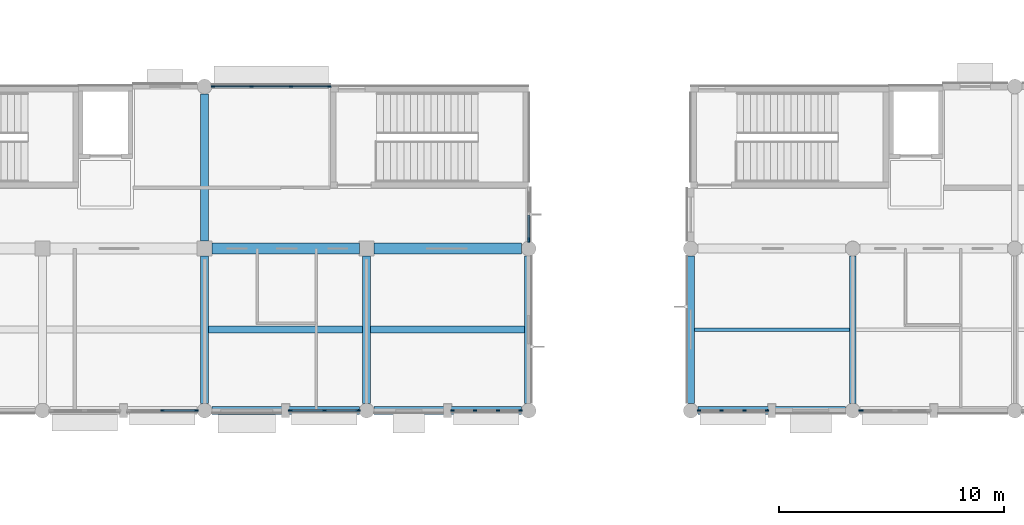
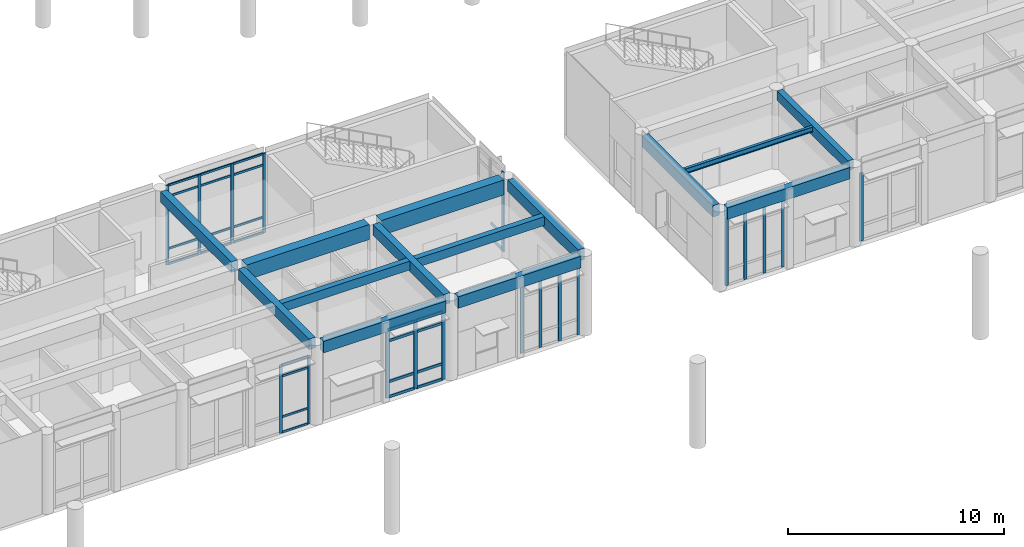
# One storey, part 12 of 92: 45 members, 14 beams, 7 elements without a shape of their own.
"""IFC4 building model written with IfcOpenShell, lengths in metres."""

from ifc_helpers import new_model, si_unit, direction, frame, origin, origin_2d, place, context, subcontext, project, spatial, rectangle, i_section, extrude, material, layer, layer_set, material_profile, profile_set, type_object, element, aggregate, save


model = new_model("IFC4")

# Units and contexts
model_context = context("Model", 3, precision=1e-05, world=origin(), true_north=direction((0.0, 1.0)))
body_context = subcontext(model_context, "Body", "Model", "MODEL_VIEW")
ifc_project = project(units=[si_unit("LENGTHUNIT", "METRE"), si_unit("AREAUNIT", "SQUARE_METRE"), si_unit("VOLUMEUNIT", "CUBIC_METRE"), si_unit("PLANEANGLEUNIT", "RADIAN"), si_unit("MASSUNIT", "GRAM", prefix="KILO")], contexts=[model_context])

# Site, building, storey
site_placement = place(None, origin())
site = spatial("IfcSite", under=ifc_project, at=site_placement, CompositionType="ELEMENT")
building_placement = place(site_placement, origin())
building = spatial("IfcBuilding", under=site, at=building_placement, Name="Namkhue Oval Health Centre", CompositionType="ELEMENT")
storey_placement = place(building_placement, frame((0.0, 0.0, 4.800048828125)))
storey = spatial("IfcBuildingStorey", under=building, at=storey_placement, Name="L01", CompositionType="ELEMENT", Elevation=4.800048828125)

# Curtain wall, members
ifc_material_1 = material(Name="Anodised aluminium EN AW-6063 T6", Category="aluminium")
ifc_layer_1 = layer(ifc_material_1, 0.159912109375)
ifc_layer_set_1 = layer_set([ifc_layer_1], Name="Anodised aluminium EN AW-6063 T6")
curtain_wall_type_1 = type_object("IfcCurtainWallType", Name="UNITISED CURTAIN WALL M1800", PredefinedType="NOTDEFINED", material=ifc_layer_set_1)
curtain_wall_1_placement = place(storey_placement, origin())
curtain_wall_1 = element("IfcCurtainWall", 1, at=curtain_wall_1_placement, inside=storey, type_object=curtain_wall_type_1, Name="Volume V4 L01 Unitised Curtain Wall 149", PredefinedType="NOTDEFINED")
ifc_material_profile_1 = material_profile(ifc_material_1, rectangle(XDim=0.06494140625, YDim=0.159912109375, at=origin_2d()), Name="ALU 65x160")
ifc_profile_set_1 = profile_set([ifc_material_profile_1], Name="Anodised aluminium EN AW-6063 T6")
member_type_1 = type_object("IfcMemberType", Name="CURTAIN WALL MULLION 65X160", PredefinedType="MULLION", material=ifc_profile_set_1)
member_1_placement = place(storey_placement, frame((70.12548828125, 14.39990234375, 0.0), z_axis=(0.0, 0.0, 1.0), x_axis=(0.0, 1.0, 0.0)))
member_1 = element("IfcMember", 2, at=member_1_placement, type_object=member_type_1, Name="CW-05 mullion 2", PredefinedType="MULLION", context=body_context, shape_type="SweptSolid", body=[
    extrude(rectangle(XDim=0.06494140625, YDim=0.159912109375, at=origin_2d()), origin(), (0.0, 0.0, 1.0), 3.85498046875),
])
member_2_placement = place(storey_placement, frame((71.632568359375, 14.39990234375, 0.0), z_axis=(0.0, 0.0, 1.0), x_axis=(0.0, 1.0, 0.0)))
member_2 = element("IfcMember", 3, at=member_2_placement, type_object=member_type_1, Name="CW-05 mullion 3", PredefinedType="MULLION", context=body_context, shape_type="SweptSolid", body=[
    extrude(rectangle(XDim=0.06494140625, YDim=0.159912109375, at=origin_2d()), origin(), (0.0, 0.0, 1.0), 3.85498046875),
])

ifc_layer_2 = layer(ifc_material_1, 0.159912109375)
ifc_layer_set_2 = layer_set([ifc_layer_2], Name="Anodised aluminium EN AW-6063 T6")
curtain_wall_type_2 = type_object("IfcCurtainWallType", Name="UNITISED CURTAIN WALL M1200", PredefinedType="NOTDEFINED", material=ifc_layer_set_2)
curtain_wall_2_placement = place(storey_placement, origin())
curtain_wall_2 = element("IfcCurtainWall", 4, at=curtain_wall_2_placement, inside=storey, type_object=curtain_wall_type_2, Name="Volume V4 L01 Unitised Curtain Wall 151", PredefinedType="NOTDEFINED")
member_3_placement = place(storey_placement, frame((83.0185546875, 14.39990234375, 0.0), z_axis=(0.0, 0.0, 1.0), x_axis=(0.0, 1.0, 0.0)))
member_3 = element("IfcMember", 5, at=member_3_placement, type_object=member_type_1, Name="CW-01 mullion 1", PredefinedType="MULLION", context=body_context, shape_type="SweptSolid", body=[
    extrude(rectangle(XDim=0.06494140625, YDim=0.159912109375, at=origin_2d()), origin(), (0.0, 0.0, 1.0), 3.85498046875),
])
member_4_placement = place(storey_placement, frame((84.012451171875, 14.39990234375, 0.0), z_axis=(0.0, 0.0, 1.0), x_axis=(0.0, 1.0, 0.0)))
member_4 = element("IfcMember", 6, at=member_4_placement, type_object=member_type_1, Name="CW-01 mullion 2", PredefinedType="MULLION", context=body_context, shape_type="SweptSolid", body=[
    extrude(rectangle(XDim=0.06494140625, YDim=0.159912109375, at=origin_2d()), origin(), (0.0, 0.0, 1.0), 3.85498046875),
])
member_5_placement = place(storey_placement, frame((85.03857421875, 14.39990234375, 0.0), z_axis=(0.0, 0.0, 1.0), x_axis=(0.0, 1.0, 0.0)))
member_5 = element("IfcMember", 7, at=member_5_placement, type_object=member_type_1, Name="CW-01 mullion 3", PredefinedType="MULLION", context=body_context, shape_type="SweptSolid", body=[
    extrude(rectangle(XDim=0.06494140625, YDim=0.159912109375, at=origin_2d()), origin(), (0.0, 0.0, 1.0), 3.85498046875),
])
member_6_placement = place(storey_placement, frame((86.032470703125, 14.39990234375, 0.0), z_axis=(0.0, 0.0, 1.0), x_axis=(0.0, 1.0, 0.0)))
member_6 = element("IfcMember", 8, at=member_6_placement, type_object=member_type_1, Name="CW-01 mullion 4", PredefinedType="MULLION", context=body_context, shape_type="SweptSolid", body=[
    extrude(rectangle(XDim=0.06494140625, YDim=0.159912109375, at=origin_2d()), origin(), (0.0, 0.0, 1.0), 3.85498046875),
])
aggregate(curtain_wall_2, [member_3, member_4, member_5, member_6])

ifc_layer_3 = layer(ifc_material_1, 0.159912109375)
ifc_layer_set_3 = layer_set([ifc_layer_3], Name="Anodised aluminium EN AW-6063 T6")
curtain_wall_type_3 = type_object("IfcCurtainWallType", Name="UNITISED CURTAIN WALL M1500", PredefinedType="NOTDEFINED", material=ifc_layer_set_3)
curtain_wall_3_placement = place(storey_placement, origin())
curtain_wall_3 = element("IfcCurtainWall", 9, at=curtain_wall_3_placement, inside=storey, type_object=curtain_wall_type_3, Name="Volume V4 L01 Unitised Curtain Wall 153", PredefinedType="NOTDEFINED")
member_7_placement = place(storey_placement, frame((77.550537109375, 28.800048828125, 0.0), z_axis=(0.0, 0.0, 1.0), x_axis=(0.0, -1.0, 0.0)))
member_7 = element("IfcMember", 10, at=member_7_placement, type_object=member_type_1, Name="CW-03 mullion 1", PredefinedType="MULLION", context=body_context, shape_type="SweptSolid", body=[
    extrude(rectangle(XDim=0.06494140625, YDim=0.159912109375, at=origin_2d()), origin(), (0.0, 0.0, 1.0), 4.5048828125),
])
member_8_placement = place(storey_placement, frame((75.833740234375, 28.800048828125, 0.0), z_axis=(0.0, 0.0, 1.0), x_axis=(0.0, -1.0, 0.0)))
member_8 = element("IfcMember", 11, at=member_8_placement, type_object=member_type_1, Name="CW-03 mullion 2", PredefinedType="MULLION", context=body_context, shape_type="SweptSolid", body=[
    extrude(rectangle(XDim=0.06494140625, YDim=0.159912109375, at=origin_2d()), origin(), (0.0, 0.0, 1.0), 4.5048828125),
])
member_9_placement = place(storey_placement, frame((74.084228515625, 28.800048828125, 0.0), z_axis=(0.0, 0.0, 1.0), x_axis=(0.0, -1.0, 0.0)))
member_9 = element("IfcMember", 12, at=member_9_placement, type_object=member_type_1, Name="CW-03 mullion 3", PredefinedType="MULLION", context=body_context, shape_type="SweptSolid", body=[
    extrude(rectangle(XDim=0.06494140625, YDim=0.159912109375, at=origin_2d()), origin(), (0.0, 0.0, 1.0), 4.5048828125),
])
member_10_placement = place(storey_placement, frame((72.367431640625, 28.800048828125, 0.0), z_axis=(0.0, 0.0, 1.0), x_axis=(0.0, -1.0, 0.0)))
member_10 = element("IfcMember", 13, at=member_10_placement, type_object=member_type_1, Name="CW-03 mullion 4", PredefinedType="MULLION", context=body_context, shape_type="SweptSolid", body=[
    extrude(rectangle(XDim=0.06494140625, YDim=0.159912109375, at=origin_2d()), origin(), (0.0, 0.0, 1.0), 4.5048828125),
])

curtain_wall_4_placement = place(storey_placement, origin())
curtain_wall_4 = element("IfcCurtainWall", 14, at=curtain_wall_4_placement, inside=storey, type_object=curtain_wall_type_2, Name="Volume V5 L01 Unitised Curtain Wall 187", PredefinedType="NOTDEFINED")
member_11_placement = place(storey_placement, frame((93.967529296875, 14.39990234375, 0.0), z_axis=(0.0, 0.0, 1.0), x_axis=(0.0, 1.0, 0.0)))
member_11 = element("IfcMember", 15, at=member_11_placement, type_object=member_type_1, Name="CW-01 mullion 1", PredefinedType="MULLION", context=body_context, shape_type="SweptSolid", body=[
    extrude(rectangle(XDim=0.06494140625, YDim=0.159912109375, at=origin_2d()), origin(), (0.0, 0.0, 1.0), 3.83984375),
])
member_12_placement = place(storey_placement, frame((94.96142578125, 14.39990234375, 0.0), z_axis=(0.0, 0.0, 1.0), x_axis=(0.0, 1.0, 0.0)))
member_12 = element("IfcMember", 16, at=member_12_placement, type_object=member_type_1, Name="CW-01 mullion 2", PredefinedType="MULLION", context=body_context, shape_type="SweptSolid", body=[
    extrude(rectangle(XDim=0.06494140625, YDim=0.159912109375, at=origin_2d()), origin(), (0.0, 0.0, 1.0), 3.83984375),
])
member_13_placement = place(storey_placement, frame((95.987548828125, 14.39990234375, 0.0), z_axis=(0.0, 0.0, 1.0), x_axis=(0.0, 1.0, 0.0)))
member_13 = element("IfcMember", 17, at=member_13_placement, type_object=member_type_1, Name="CW-01 mullion 3", PredefinedType="MULLION", context=body_context, shape_type="SweptSolid", body=[
    extrude(rectangle(XDim=0.06494140625, YDim=0.159912109375, at=origin_2d()), origin(), (0.0, 0.0, 1.0), 3.83984375),
])
member_14_placement = place(storey_placement, frame((96.9814453125, 14.39990234375, 0.0), z_axis=(0.0, 0.0, 1.0), x_axis=(0.0, 1.0, 0.0)))
member_14 = element("IfcMember", 18, at=member_14_placement, type_object=member_type_1, Name="CW-01 mullion 4", PredefinedType="MULLION", context=body_context, shape_type="SweptSolid", body=[
    extrude(rectangle(XDim=0.06494140625, YDim=0.159912109375, at=origin_2d()), origin(), (0.0, 0.0, 1.0), 3.83984375),
])
aggregate(curtain_wall_4, [member_11, member_12, member_13, member_14])

ifc_layer_4 = layer(ifc_material_1, 0.159912109375)
ifc_layer_set_4 = layer_set([ifc_layer_4], Name="Anodised aluminium EN AW-6063 T6")
curtain_wall_type_4 = type_object("IfcCurtainWallType", Name="UNITISED CURTAIN WALL M2000", PredefinedType="NOTDEFINED", material=ifc_layer_set_4)
curtain_wall_5_placement = place(storey_placement, origin())
curtain_wall_5 = element("IfcCurtainWall", 19, at=curtain_wall_5_placement, inside=storey, type_object=curtain_wall_type_4, Name="Volume V4 L01 Unitised Curtain Wall 150", PredefinedType="NOTDEFINED")
ifc_material_profile_2 = material_profile(ifc_material_1, rectangle(XDim=0.074951171875, YDim=0.199951171875, at=origin_2d()), Name="ALU 75x200")
ifc_profile_set_2 = profile_set([ifc_material_profile_2], Name="Anodised aluminium EN AW-6063 T6")
member_type_2 = type_object("IfcMemberType", Name="CURTAIN WALL MULLION 75X200", PredefinedType="MULLION", material=ifc_profile_set_2)
member_15_placement = place(storey_placement, frame((75.823486328125, 14.39990234375, 0.0), z_axis=(0.0, 0.0, 1.0), x_axis=(0.0, 1.0, 0.0)))
member_15 = element("IfcMember", 20, at=member_15_placement, type_object=member_type_2, Name="CW-06 mullion 1", PredefinedType="MULLION", context=body_context, shape_type="SweptSolid", body=[
    extrude(rectangle(XDim=0.074951171875, YDim=0.199951171875, at=origin_2d()), origin(), (0.0, 0.0, 1.0), 3.85498046875),
])
member_16_placement = place(storey_placement, frame((77.325439453125, 14.39990234375, 0.0), z_axis=(0.0, 0.0, 1.0), x_axis=(0.0, 1.0, 0.0)))
member_16 = element("IfcMember", 21, at=member_16_placement, type_object=member_type_2, Name="CW-06 mullion 2", PredefinedType="MULLION", context=body_context, shape_type="SweptSolid", body=[
    extrude(rectangle(XDim=0.074951171875, YDim=0.199951171875, at=origin_2d()), origin(), (0.0, 0.0, 1.0), 3.85498046875),
])
member_17_placement = place(storey_placement, frame((78.827392578125, 14.39990234375, 0.0), z_axis=(0.0, 0.0, 1.0), x_axis=(0.0, 1.0, 0.0)))
member_17 = element("IfcMember", 22, at=member_17_placement, type_object=member_type_2, Name="CW-06 mullion 3", PredefinedType="MULLION", context=body_context, shape_type="SweptSolid", body=[
    extrude(rectangle(XDim=0.074951171875, YDim=0.199951171875, at=origin_2d()), origin(), (0.0, 0.0, 1.0), 3.85498046875),
])

# Curtain wall, member
ifc_layer_5 = layer(ifc_material_1, 0.159912109375)
ifc_layer_set_5 = layer_set([ifc_layer_5], Name="Anodised aluminium EN AW-6063 T6")
curtain_wall_type_5 = type_object("IfcCurtainWallType", Name="UNITISED CURTAIN WALL M1350", PredefinedType="NOTDEFINED", material=ifc_layer_set_5)
curtain_wall_6_placement = place(storey_placement, origin())
curtain_wall_6 = element("IfcCurtainWall", 23, at=curtain_wall_6_placement, inside=storey, type_object=curtain_wall_type_5, Name="Volume V4 L01 Unitised Curtain Wall 152", PredefinedType="NOTDEFINED")
member_18_placement = place(storey_placement, frame((86.39990234375, 21.972412109375, 0.0), z_axis=(0.0, 0.0, 1.0), x_axis=(-1.0, 0.0, 0.0)))
member_18 = element("IfcMember", 24, at=member_18_placement, type_object=member_type_2, Name="CW-02 mullion 1", PredefinedType="MULLION", context=body_context, shape_type="SweptSolid", body=[
    extrude(rectangle(XDim=0.074951171875, YDim=0.199951171875, at=origin_2d()), origin(), (0.0, 0.0, 1.0), 4.5048828125),
])

curtain_wall_7_placement = place(storey_placement, origin())
curtain_wall_7 = element("IfcCurtainWall", 25, at=curtain_wall_7_placement, inside=storey, type_object=curtain_wall_type_5, Name="Volume V5 L01 Unitised Curtain Wall 188", PredefinedType="NOTDEFINED")
member_19_placement = place(storey_placement, frame((101.172607421875, 14.39990234375, 0.0), z_axis=(0.0, 0.0, 1.0), x_axis=(0.0, 1.0, 0.0)))
member_19 = element("IfcMember", 26, at=member_19_placement, type_object=member_type_2, Name="CW-02 mullion 1", PredefinedType="MULLION", context=body_context, shape_type="SweptSolid", body=[
    extrude(rectangle(XDim=0.074951171875, YDim=0.199951171875, at=origin_2d()), origin(), (0.0, 0.0, 1.0), 3.83984375),
])
aggregate(curtain_wall_7, [member_19])

# Member
ifc_material_profile_3 = material_profile(ifc_material_1, rectangle(XDim=0.06494140625, YDim=0.1201171875, at=origin_2d()), Name="ALU 65x120")
ifc_profile_set_3 = profile_set([ifc_material_profile_3], Name="Anodised aluminium EN AW-6063 T6")
member_type_3 = type_object("IfcMemberType", Name="CURTAIN WALL TRANSOM 65X120", PredefinedType="USERDEFINED", material=ifc_profile_set_3)
member_20_placement = place(storey_placement, frame((70.157958984375, 14.39990234375, 0.032470703125), z_axis=(1.0, 0.0, 0.0), x_axis=(0.0, 1.0, 0.0)))
member_20 = element("IfcMember", 27, at=member_20_placement, type_object=member_type_3, Name="CW-05 transom 2.1", ObjectType="TRANSOM", PredefinedType="USERDEFINED", context=body_context, shape_type="SweptSolid", body=[
    extrude(rectangle(XDim=0.06494140625, YDim=0.1201171875, at=origin_2d()), origin(), (0.0, 0.0, 1.0), 1.442138671875),
])

member_21_placement = place(storey_placement, frame((70.157958984375, 14.39990234375, 0.89990234375), z_axis=(1.0, 0.0, 0.0), x_axis=(0.0, 1.0, 0.0)))
member_21 = element("IfcMember", 28, at=member_21_placement, type_object=member_type_3, Name="CW-05 transom 2.2", ObjectType="TRANSOM", PredefinedType="USERDEFINED", context=body_context, shape_type="SweptSolid", body=[
    extrude(rectangle(XDim=0.06494140625, YDim=0.1201171875, at=origin_2d()), origin(), (0.0, 0.0, 1.0), 1.442138671875),
])

member_22_placement = place(storey_placement, frame((70.157958984375, 14.39990234375, 3.204833984375), z_axis=(1.0, 0.0, 0.0), x_axis=(0.0, 1.0, 0.0)))
member_22 = element("IfcMember", 29, at=member_22_placement, type_object=member_type_3, Name="CW-05 transom 2.3", ObjectType="TRANSOM", PredefinedType="USERDEFINED", context=body_context, shape_type="SweptSolid", body=[
    extrude(rectangle(XDim=0.06494140625, YDim=0.1201171875, at=origin_2d()), origin(), (0.0, 0.0, 1.0), 1.442138671875),
])

member_23_placement = place(storey_placement, frame((70.157958984375, 14.39990234375, 3.822509765625), z_axis=(1.0, 0.0, 0.0), x_axis=(0.0, 1.0, 0.0)))
member_23 = element("IfcMember", 30, at=member_23_placement, type_object=member_type_3, Name="CW-05 transom 2.4", ObjectType="TRANSOM", PredefinedType="USERDEFINED", context=body_context, shape_type="SweptSolid", body=[
    extrude(rectangle(XDim=0.06494140625, YDim=0.1201171875, at=origin_2d()), origin(), (0.0, 0.0, 1.0), 1.442138671875),
])

aggregate(curtain_wall_1, [member_1, member_2, member_20, member_21, member_22, member_23])

member_24_placement = place(storey_placement, frame((77.51806640625, 28.800048828125, 0.032470703125), z_axis=(-1.0, 0.0, 0.0), x_axis=(0.0, -1.0, 0.0)))
member_24 = element("IfcMember", 31, at=member_24_placement, type_object=member_type_3, Name="CW-03 transom 1.1", ObjectType="TRANSOM", PredefinedType="USERDEFINED", context=body_context, shape_type="SweptSolid", body=[
    extrude(rectangle(XDim=0.06494140625, YDim=0.1201171875, at=origin_2d()), origin(), (0.0, 0.0, 1.0), 1.65185546875),
])

member_25_placement = place(storey_placement, frame((77.51806640625, 28.800048828125, 0.89990234375), z_axis=(-1.0, 0.0, 0.0), x_axis=(0.0, -1.0, 0.0)))
member_25 = element("IfcMember", 32, at=member_25_placement, type_object=member_type_3, Name="CW-03 transom 1.2", ObjectType="TRANSOM", PredefinedType="USERDEFINED", context=body_context, shape_type="SweptSolid", body=[
    extrude(rectangle(XDim=0.06494140625, YDim=0.1201171875, at=origin_2d()), origin(), (0.0, 0.0, 1.0), 1.65185546875),
])

member_26_placement = place(storey_placement, frame((77.51806640625, 28.800048828125, 3.85498046875), z_axis=(-1.0, 0.0, 0.0), x_axis=(0.0, -1.0, 0.0)))
member_26 = element("IfcMember", 33, at=member_26_placement, type_object=member_type_3, Name="CW-03 transom 1.3", ObjectType="TRANSOM", PredefinedType="USERDEFINED", context=body_context, shape_type="SweptSolid", body=[
    extrude(rectangle(XDim=0.06494140625, YDim=0.1201171875, at=origin_2d()), origin(), (0.0, 0.0, 1.0), 1.65185546875),
])

member_27_placement = place(storey_placement, frame((77.51806640625, 28.800048828125, 4.472412109375), z_axis=(-1.0, 0.0, 0.0), x_axis=(0.0, -1.0, 0.0)))
member_27 = element("IfcMember", 34, at=member_27_placement, type_object=member_type_3, Name="CW-03 transom 1.4", ObjectType="TRANSOM", PredefinedType="USERDEFINED", context=body_context, shape_type="SweptSolid", body=[
    extrude(rectangle(XDim=0.06494140625, YDim=0.1201171875, at=origin_2d()), origin(), (0.0, 0.0, 1.0), 1.65185546875),
])

member_28_placement = place(storey_placement, frame((75.80126953125, 28.800048828125, 0.032470703125), z_axis=(-1.0, 0.0, 0.0), x_axis=(0.0, -1.0, 0.0)))
member_28 = element("IfcMember", 35, at=member_28_placement, type_object=member_type_3, Name="CW-03 transom 2.1", ObjectType="TRANSOM", PredefinedType="USERDEFINED", context=body_context, shape_type="SweptSolid", body=[
    extrude(rectangle(XDim=0.06494140625, YDim=0.1201171875, at=origin_2d()), origin(), (0.0, 0.0, 1.0), 1.684326171875),
])

member_29_placement = place(storey_placement, frame((75.80126953125, 28.800048828125, 0.89990234375), z_axis=(-1.0, 0.0, 0.0), x_axis=(0.0, -1.0, 0.0)))
member_29 = element("IfcMember", 36, at=member_29_placement, type_object=member_type_3, Name="CW-03 transom 2.2", ObjectType="TRANSOM", PredefinedType="USERDEFINED", context=body_context, shape_type="SweptSolid", body=[
    extrude(rectangle(XDim=0.06494140625, YDim=0.1201171875, at=origin_2d()), origin(), (0.0, 0.0, 1.0), 1.684326171875),
])

member_30_placement = place(storey_placement, frame((75.80126953125, 28.800048828125, 3.85498046875), z_axis=(-1.0, 0.0, 0.0), x_axis=(0.0, -1.0, 0.0)))
member_30 = element("IfcMember", 37, at=member_30_placement, type_object=member_type_3, Name="CW-03 transom 2.3", ObjectType="TRANSOM", PredefinedType="USERDEFINED", context=body_context, shape_type="SweptSolid", body=[
    extrude(rectangle(XDim=0.06494140625, YDim=0.1201171875, at=origin_2d()), origin(), (0.0, 0.0, 1.0), 1.684326171875),
])

member_31_placement = place(storey_placement, frame((75.80126953125, 28.800048828125, 4.472412109375), z_axis=(-1.0, 0.0, 0.0), x_axis=(0.0, -1.0, 0.0)))
member_31 = element("IfcMember", 38, at=member_31_placement, type_object=member_type_3, Name="CW-03 transom 2.4", ObjectType="TRANSOM", PredefinedType="USERDEFINED", context=body_context, shape_type="SweptSolid", body=[
    extrude(rectangle(XDim=0.06494140625, YDim=0.1201171875, at=origin_2d()), origin(), (0.0, 0.0, 1.0), 1.684326171875),
])

member_32_placement = place(storey_placement, frame((74.0517578125, 28.800048828125, 0.032470703125), z_axis=(-1.0, 0.0, 0.0), x_axis=(0.0, -1.0, 0.0)))
member_32 = element("IfcMember", 39, at=member_32_placement, type_object=member_type_3, Name="CW-03 transom 3.1", ObjectType="TRANSOM", PredefinedType="USERDEFINED", context=body_context, shape_type="SweptSolid", body=[
    extrude(rectangle(XDim=0.06494140625, YDim=0.1201171875, at=origin_2d()), origin(), (0.0, 0.0, 1.0), 1.65185546875),
])

member_33_placement = place(storey_placement, frame((74.0517578125, 28.800048828125, 0.89990234375), z_axis=(-1.0, 0.0, 0.0), x_axis=(0.0, -1.0, 0.0)))
member_33 = element("IfcMember", 40, at=member_33_placement, type_object=member_type_3, Name="CW-03 transom 3.2", ObjectType="TRANSOM", PredefinedType="USERDEFINED", context=body_context, shape_type="SweptSolid", body=[
    extrude(rectangle(XDim=0.06494140625, YDim=0.1201171875, at=origin_2d()), origin(), (0.0, 0.0, 1.0), 1.65185546875),
])

member_34_placement = place(storey_placement, frame((74.0517578125, 28.800048828125, 3.85498046875), z_axis=(-1.0, 0.0, 0.0), x_axis=(0.0, -1.0, 0.0)))
member_34 = element("IfcMember", 41, at=member_34_placement, type_object=member_type_3, Name="CW-03 transom 3.3", ObjectType="TRANSOM", PredefinedType="USERDEFINED", context=body_context, shape_type="SweptSolid", body=[
    extrude(rectangle(XDim=0.06494140625, YDim=0.1201171875, at=origin_2d()), origin(), (0.0, 0.0, 1.0), 1.65185546875),
])

member_35_placement = place(storey_placement, frame((74.0517578125, 28.800048828125, 4.472412109375), z_axis=(-1.0, 0.0, 0.0), x_axis=(0.0, -1.0, 0.0)))
member_35 = element("IfcMember", 42, at=member_35_placement, type_object=member_type_3, Name="CW-03 transom 3.4", ObjectType="TRANSOM", PredefinedType="USERDEFINED", context=body_context, shape_type="SweptSolid", body=[
    extrude(rectangle(XDim=0.06494140625, YDim=0.1201171875, at=origin_2d()), origin(), (0.0, 0.0, 1.0), 1.65185546875),
])

aggregate(curtain_wall_3, [member_7, member_8, member_9, member_10, member_24, member_25, member_26, member_27, member_28, member_29, member_30, member_31, member_32, member_33, member_34, member_35])

ifc_material_profile_4 = material_profile(ifc_material_1, rectangle(XDim=0.074951171875, YDim=0.14990234375, at=origin_2d()), Name="ALU 75x150")
ifc_profile_set_4 = profile_set([ifc_material_profile_4], Name="Anodised aluminium EN AW-6063 T6")
member_type_4 = type_object("IfcMemberType", Name="CURTAIN WALL TRANSOM 75X150", PredefinedType="USERDEFINED", material=ifc_profile_set_4)
member_36_placement = place(storey_placement, frame((75.861083984375, 14.39990234375, 0.037353515625), z_axis=(1.0, 0.0, 0.0), x_axis=(0.0, 1.0, 0.0)))
member_36 = element("IfcMember", 43, at=member_36_placement, type_object=member_type_4, Name="CW-06 transom 1.1", ObjectType="TRANSOM", PredefinedType="USERDEFINED", context=body_context, shape_type="SweptSolid", body=[
    extrude(rectangle(XDim=0.074951171875, YDim=0.14990234375, at=origin_2d()), origin(), (0.0, 0.0, 1.0), 1.427001953125),
])

member_37_placement = place(storey_placement, frame((75.861083984375, 14.39990234375, 0.89990234375), z_axis=(1.0, 0.0, 0.0), x_axis=(0.0, 1.0, 0.0)))
member_37 = element("IfcMember", 44, at=member_37_placement, type_object=member_type_4, Name="CW-06 transom 1.2", ObjectType="TRANSOM", PredefinedType="USERDEFINED", context=body_context, shape_type="SweptSolid", body=[
    extrude(rectangle(XDim=0.074951171875, YDim=0.14990234375, at=origin_2d()), origin(), (0.0, 0.0, 1.0), 1.427001953125),
])

member_38_placement = place(storey_placement, frame((75.861083984375, 14.39990234375, 3.204833984375), z_axis=(1.0, 0.0, 0.0), x_axis=(0.0, 1.0, 0.0)))
member_38 = element("IfcMember", 45, at=member_38_placement, type_object=member_type_4, Name="CW-06 transom 1.3", ObjectType="TRANSOM", PredefinedType="USERDEFINED", context=body_context, shape_type="SweptSolid", body=[
    extrude(rectangle(XDim=0.074951171875, YDim=0.14990234375, at=origin_2d()), origin(), (0.0, 0.0, 1.0), 1.427001953125),
])

member_39_placement = place(storey_placement, frame((75.861083984375, 14.39990234375, 3.8173828125), z_axis=(1.0, 0.0, 0.0), x_axis=(0.0, 1.0, 0.0)))
member_39 = element("IfcMember", 46, at=member_39_placement, type_object=member_type_4, Name="CW-06 transom 1.4", ObjectType="TRANSOM", PredefinedType="USERDEFINED", context=body_context, shape_type="SweptSolid", body=[
    extrude(rectangle(XDim=0.074951171875, YDim=0.14990234375, at=origin_2d()), origin(), (0.0, 0.0, 1.0), 1.427001953125),
])

member_40_placement = place(storey_placement, frame((77.363037109375, 14.39990234375, 0.037353515625), z_axis=(1.0, 0.0, 0.0), x_axis=(0.0, 1.0, 0.0)))
member_40 = element("IfcMember", 47, at=member_40_placement, type_object=member_type_4, Name="CW-06 transom 2.1", ObjectType="TRANSOM", PredefinedType="USERDEFINED", context=body_context, shape_type="SweptSolid", body=[
    extrude(rectangle(XDim=0.074951171875, YDim=0.14990234375, at=origin_2d()), origin(), (0.0, 0.0, 1.0), 1.427001953125),
])

member_41_placement = place(storey_placement, frame((77.363037109375, 14.39990234375, 0.89990234375), z_axis=(1.0, 0.0, 0.0), x_axis=(0.0, 1.0, 0.0)))
member_41 = element("IfcMember", 48, at=member_41_placement, type_object=member_type_4, Name="CW-06 transom 2.2", ObjectType="TRANSOM", PredefinedType="USERDEFINED", context=body_context, shape_type="SweptSolid", body=[
    extrude(rectangle(XDim=0.074951171875, YDim=0.14990234375, at=origin_2d()), origin(), (0.0, 0.0, 1.0), 1.427001953125),
])

member_42_placement = place(storey_placement, frame((77.363037109375, 14.39990234375, 3.204833984375), z_axis=(1.0, 0.0, 0.0), x_axis=(0.0, 1.0, 0.0)))
member_42 = element("IfcMember", 49, at=member_42_placement, type_object=member_type_4, Name="CW-06 transom 2.3", ObjectType="TRANSOM", PredefinedType="USERDEFINED", context=body_context, shape_type="SweptSolid", body=[
    extrude(rectangle(XDim=0.074951171875, YDim=0.14990234375, at=origin_2d()), origin(), (0.0, 0.0, 1.0), 1.427001953125),
])

member_43_placement = place(storey_placement, frame((77.363037109375, 14.39990234375, 3.8173828125), z_axis=(1.0, 0.0, 0.0), x_axis=(0.0, 1.0, 0.0)))
member_43 = element("IfcMember", 50, at=member_43_placement, type_object=member_type_4, Name="CW-06 transom 2.4", ObjectType="TRANSOM", PredefinedType="USERDEFINED", context=body_context, shape_type="SweptSolid", body=[
    extrude(rectangle(XDim=0.074951171875, YDim=0.14990234375, at=origin_2d()), origin(), (0.0, 0.0, 1.0), 1.427001953125),
])

aggregate(curtain_wall_5, [member_15, member_16, member_17, member_36, member_37, member_38, member_39, member_40, member_41, member_42, member_43])

member_44_placement = place(storey_placement, frame((86.39990234375, 22.010009765625, 0.037353515625), z_axis=(0.0, 1.0, 0.0), x_axis=(-1.0, 0.0, 0.0)))
member_44 = element("IfcMember", 51, at=member_44_placement, type_object=member_type_4, Name="CW-02 transom 1.1", ObjectType="TRANSOM", PredefinedType="USERDEFINED", context=body_context, shape_type="SweptSolid", body=[
    extrude(rectangle(XDim=0.074951171875, YDim=0.14990234375, at=origin_2d()), origin(), (0.0, 0.0, 1.0), 1.0615234375),
])

member_45_placement = place(storey_placement, frame((86.39990234375, 22.010009765625, 0.89990234375), z_axis=(0.0, 1.0, 0.0), x_axis=(-1.0, 0.0, 0.0)))
member_45 = element("IfcMember", 52, at=member_45_placement, type_object=member_type_4, Name="CW-02 transom 1.2", ObjectType="TRANSOM", PredefinedType="USERDEFINED", context=body_context, shape_type="SweptSolid", body=[
    extrude(rectangle(XDim=0.074951171875, YDim=0.14990234375, at=origin_2d()), origin(), (0.0, 0.0, 1.0), 1.0615234375),
])

aggregate(curtain_wall_6, [member_18, member_44, member_45])

# Beams
ifc_material_2 = material(Name="Reinforced concrete C30/37 (TCVN B35)", Category="concrete")
ifc_material_profile_5 = material_profile(ifc_material_2, rectangle(XDim=0.300048828125, YDim=0.550048828125, at=origin_2d()), Name="RC 300x550")
ifc_profile_set_5 = profile_set([ifc_material_profile_5], Name="Reinforced concrete C30/37 (TCVN B35)")
beam_type_1 = type_object("IfcBeamType", Name="FLOOR BEAM RC 300X550", PredefinedType="BEAM", material=ifc_profile_set_5)
beam_1_placement = place(storey_placement, frame((100.800048828125, 14.72509765625, 4.21484375), z_axis=(0.0, 1.0, 0.0), x_axis=(-1.0, 0.0, 0.0)))
element("IfcBeam", 53, at=beam_1_placement, inside=storey, type_object=beam_type_1, Name="Volume V5 L02 Beam 15/C-D", PredefinedType="BEAM", context=body_context, shape_type="SweptSolid", body=[
    extrude(rectangle(XDim=0.300048828125, YDim=0.550048828125, at=origin_2d()), origin(), (0.0, 0.0, 1.0), 6.5498046875),
])
ifc_material_profile_6 = material_profile(ifc_material_2, rectangle(XDim=0.35009765625, YDim=0.60009765625, at=origin_2d()), Name="RC 350x600")
ifc_profile_set_6 = profile_set([ifc_material_profile_6], Name="Reinforced concrete C30/37 (TCVN B35)")
beam_type_2 = type_object("IfcBeamType", Name="FLOOR BEAM RC 350X600", PredefinedType="BEAM", material=ifc_profile_set_6)
beam_2_placement = place(storey_placement, frame((72.0, 14.72509765625, 4.204833984375), z_axis=(0.0, 1.0, 0.0), x_axis=(-1.0, 0.0, 0.0)))
element("IfcBeam", 54, at=beam_2_placement, inside=storey, type_object=beam_type_2, Name="Volume V4 L02 Beam 11/C-D", PredefinedType="BEAM", context=body_context, shape_type="SweptSolid", body=[
    extrude(rectangle(XDim=0.35009765625, YDim=0.60009765625, at=origin_2d()), origin(), (0.0, 0.0, 1.0), 6.5498046875),
])
beam_3_placement = place(storey_placement, frame((72.0, 21.925048828125, 4.204833984375), z_axis=(0.0, 1.0, 0.0), x_axis=(-1.0, 0.0, 0.0)))
element("IfcBeam", 55, at=beam_3_placement, inside=storey, type_object=beam_type_2, Name="Volume V4 L02 Beam 11/D-E", PredefinedType="BEAM", context=body_context, shape_type="SweptSolid", body=[
    extrude(rectangle(XDim=0.35009765625, YDim=0.60009765625, at=origin_2d()), origin(), (0.0, 0.0, 1.0), 6.550048828125),
])
beam_4_placement = place(storey_placement, frame((79.199951171875, 14.72509765625, 4.204833984375), z_axis=(0.0, 1.0, 0.0), x_axis=(-1.0, 0.0, 0.0)))
element("IfcBeam", 56, at=beam_4_placement, inside=storey, type_object=beam_type_2, Name="Volume V4 L02 Beam 12/C-D", PredefinedType="BEAM", context=body_context, shape_type="SweptSolid", body=[
    extrude(rectangle(XDim=0.35009765625, YDim=0.60009765625, at=origin_2d()), origin(), (0.0, 0.0, 1.0), 6.5498046875),
])
ifc_material_3 = material(Name="Reinforced concrete C35/45 (TCVN B40)", Category="concrete")
ifc_material_profile_7 = material_profile(ifc_material_3, rectangle(XDim=0.35009765625, YDim=0.64990234375, at=origin_2d()), Name="RC 350x650")
ifc_profile_set_7 = profile_set([ifc_material_profile_7], Name="Reinforced concrete C35/45 (TCVN B40)")
beam_type_3 = type_object("IfcBeamType", Name="PERIMETER SPANDREL BEAM 350X650", PredefinedType="SPANDREL", material=ifc_profile_set_7)
for number, where, z_axis, x_axis, name in (
    (57, (72.324951171875, 14.39990234375, 4.179931640625), (1.0, 0.0, 0.0), (0.0, 1.0, 0.0), "Volume V4 L02 Girder C/11-12"),
    (58, (79.52490234375, 14.39990234375, 4.179931640625), (1.0, 0.0, 0.0), (0.0, 1.0, 0.0), "Volume V4 L02 Girder C/12-13"),
):
    element("IfcBeam", number, at=place(storey_placement, frame(where, z_axis=z_axis, x_axis=x_axis)), inside=storey, type_object=beam_type_3, Name=name, PredefinedType="SPANDREL", context=body_context, shape_type="SweptSolid", body=[
        extrude(rectangle(XDim=0.35009765625, YDim=0.64990234375, at=origin_2d()), origin(), (0.0, 0.0, 1.0), 6.550048828125),
    ])
beam_5_placement = place(storey_placement, frame((86.39990234375, 14.72509765625, 4.179931640625), z_axis=(0.0, 1.0, 0.0), x_axis=(-1.0, 0.0, 0.0)))
element("IfcBeam", 59, at=beam_5_placement, inside=storey, type_object=beam_type_3, Name="Volume V4 L02 Beam 13/C-D", PredefinedType="SPANDREL", context=body_context, shape_type="SweptSolid", body=[
    extrude(rectangle(XDim=0.35009765625, YDim=0.64990234375, at=origin_2d()), origin(), (0.0, 0.0, 1.0), 6.5498046875),
])
beam_6_placement = place(storey_placement, frame((93.925048828125, 14.39990234375, 4.1650390625), z_axis=(1.0, 0.0, 0.0), x_axis=(0.0, 1.0, 0.0)))
element("IfcBeam", 60, at=beam_6_placement, inside=storey, type_object=beam_type_3, Name="Volume V5 L02 Girder C/14-15", PredefinedType="SPANDREL", context=body_context, shape_type="SweptSolid", body=[
    extrude(rectangle(XDim=0.35009765625, YDim=0.64990234375, at=origin_2d()), origin(), (0.0, 0.0, 1.0), 6.550048828125),
])
beam_7_placement = place(storey_placement, frame((93.60009765625, 14.72509765625, 4.1650390625), z_axis=(0.0, 1.0, 0.0), x_axis=(-1.0, 0.0, 0.0)))
element("IfcBeam", 61, at=beam_7_placement, inside=storey, type_object=beam_type_3, Name="Volume V5 L02 Beam 14/C-D", PredefinedType="SPANDREL", context=body_context, shape_type="SweptSolid", body=[
    extrude(rectangle(XDim=0.35009765625, YDim=0.64990234375, at=origin_2d()), origin(), (0.0, 0.0, 1.0), 6.5498046875),
])
ifc_material_profile_8 = material_profile(ifc_material_3, rectangle(XDim=0.5, YDim=0.85009765625, at=origin_2d()), Name="RC 500x850")
ifc_profile_set_8 = profile_set([ifc_material_profile_8], Name="Reinforced concrete C35/45 (TCVN B40)")
beam_type_4 = type_object("IfcBeamType", Name="PRIMARY GIRDER RC 500X850", PredefinedType="USERDEFINED", material=ifc_profile_set_8)
for number, where, z_axis, x_axis, name in (
    (62, (72.324951171875, 21.60009765625, 4.079833984375), (1.0, 0.0, 0.0), (0.0, 1.0, 0.0), "Volume V4 L02 Girder D/11-12"),
    (63, (79.52490234375, 21.60009765625, 4.079833984375), (1.0, 0.0, 0.0), (0.0, 1.0, 0.0), "Volume V4 L02 Girder D/12-13"),
):
    element("IfcBeam", number, at=place(storey_placement, frame(where, z_axis=z_axis, x_axis=x_axis)), inside=storey, type_object=beam_type_4, Name=name, ObjectType="GIRDER", PredefinedType="USERDEFINED", context=body_context, shape_type="SweptSolid", body=[
        extrude(rectangle(XDim=0.5, YDim=0.85009765625, at=origin_2d()), origin(), (0.0, 0.0, 1.0), 6.550048828125),
    ])
ifc_material_profile_9 = material_profile(ifc_material_2, rectangle(XDim=0.300048828125, YDim=0.5, at=origin_2d()), Name="RC 300x500")
ifc_profile_set_9 = profile_set([ifc_material_profile_9], Name="Reinforced concrete C30/37 (TCVN B35)")
beam_type_5 = type_object("IfcBeamType", Name="SECONDARY JOIST RC 300X500", PredefinedType="JOIST", material=ifc_profile_set_9)
beam_8_placement = place(storey_placement, frame((72.175048828125, 18.0, 4.2548828125), z_axis=(1.0, 0.0, 0.0), x_axis=(0.0, 1.0, 0.0)))
element("IfcBeam", 64, at=beam_8_placement, inside=storey, type_object=beam_type_5, Name="Volume V4 L02 Secondary Joist 11-12", PredefinedType="JOIST", context=body_context, shape_type="SweptSolid", body=[
    extrude(rectangle(XDim=0.300048828125, YDim=0.5, at=origin_2d()), origin(), (0.0, 0.0, 1.0), 6.849853515625),
])
beam_9_placement = place(storey_placement, frame((79.375, 18.0, 4.2548828125), z_axis=(1.0, 0.0, 0.0), x_axis=(0.0, 1.0, 0.0)))
element("IfcBeam", 65, at=beam_9_placement, inside=storey, type_object=beam_type_5, Name="Volume V4 L02 Secondary Joist 12-13", PredefinedType="JOIST", context=body_context, shape_type="SweptSolid", body=[
    extrude(rectangle(XDim=0.300048828125, YDim=0.5, at=origin_2d()), origin(), (0.0, 0.0, 1.0), 6.85009765625),
])
ifc_material_4 = material(Name="Structural steel EN 10025-2 S355JR (TCVN 5575:2024)", Category="steel")
ifc_material_profile_10 = material_profile(ifc_material_4, i_section(OverallWidth=0.14990234375, OverallDepth=0.300048828125, WebThickness=0.007080078125, FlangeThickness=0.0107421875, FilletRadius=0.014892578125, at=origin_2d()), Name="IPE 300")
ifc_profile_set_10 = profile_set([ifc_material_profile_10], Name="Structural steel EN 10025-2 S355JR (TCVN 5575:2024)")
beam_type_6 = type_object("IfcBeamType", Name="SECONDARY JOIST STEEL IPE 300", PredefinedType="JOIST", material=ifc_profile_set_10)
beam_10_placement = place(storey_placement, frame((93.77490234375, 18.0, 4.33984375), z_axis=(1.0, 0.0, 0.0), x_axis=(0.0, 1.0, 0.0)))
element("IfcBeam", 66, at=beam_10_placement, inside=storey, type_object=beam_type_6, Name="Volume V5 L02 Secondary Joist 14-15", PredefinedType="JOIST", context=body_context, shape_type="SweptSolid", body=[
    extrude(i_section(OverallWidth=0.14990234375, OverallDepth=0.300048828125, WebThickness=0.007080078125, FlangeThickness=0.0107421875, FilletRadius=0.014892578125, at=origin_2d()), origin(), (0.0, 0.0, 1.0), 6.875),
])

save(model, "model.ifc")
